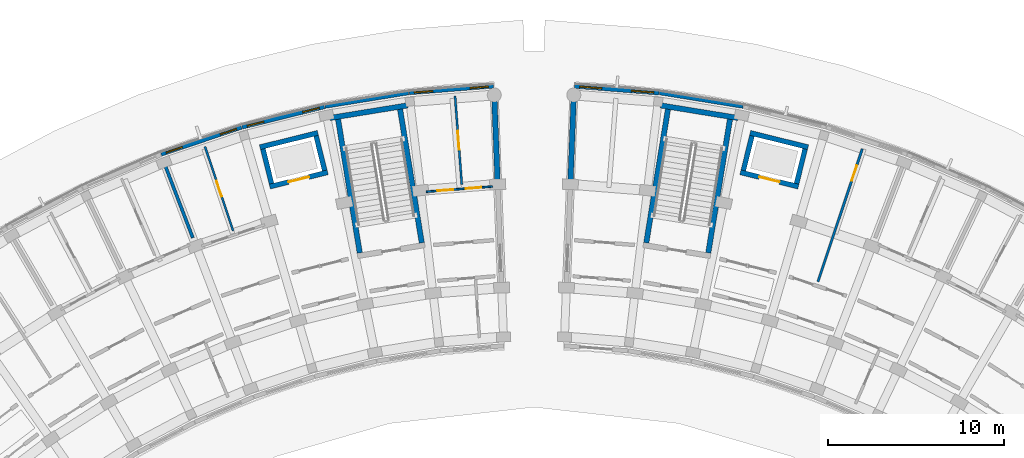
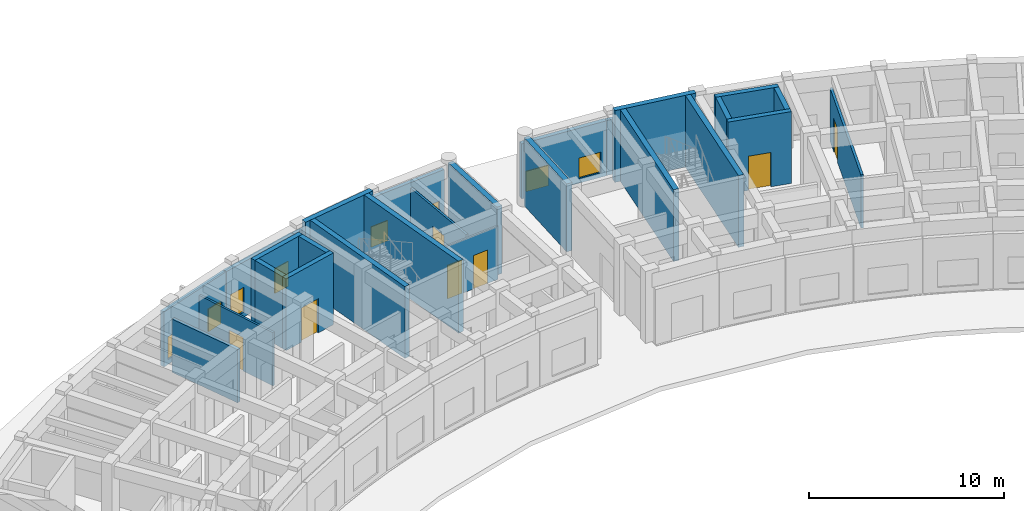
# One storey, part 35 of 61: 27 walls, 8 windows, 7 doors, 15 openings.
"""IFC4 building model written with IfcOpenShell, lengths in metres."""

from ifc_helpers import new_model, si_unit, direction, frame, frame_2d, origin, place, context, subcontext, project, spatial, rectangle, extrude, material, layer, layer_set, type_object, element, fill, save


model = new_model("IFC4")

# Units and contexts
model_context = context("Model", 3, precision=1e-05, world=origin(), true_north=direction((0.0, 1.0)))
body_context = subcontext(model_context, "Body", "Model", "MODEL_VIEW")
ifc_project = project(units=[si_unit("LENGTHUNIT", "METRE"), si_unit("AREAUNIT", "SQUARE_METRE"), si_unit("VOLUMEUNIT", "CUBIC_METRE"), si_unit("PLANEANGLEUNIT", "RADIAN"), si_unit("MASSUNIT", "GRAM", prefix="KILO")], contexts=[model_context])

# Site, building, storey
site_placement = place(None, origin())
site = spatial("IfcSite", under=ifc_project, at=site_placement, CompositionType="ELEMENT")
building_placement = place(site_placement, origin())
building = spatial("IfcBuilding", under=site, at=building_placement, Name="Zimvara Arc Housing Community", CompositionType="ELEMENT")
storey_placement = place(building_placement, origin())
storey = spatial("IfcBuildingStorey", under=building, at=storey_placement, Name="L00", CompositionType="ELEMENT", Elevation=0.0)

# Wall, openings, windows
ifc_material_1 = material(Name="Pigmented Fair-Faced Concrete C35/45", Category="concrete")
ifc_layer_1 = layer(ifc_material_1, 0.235107421875)
ifc_layer_set_1 = layer_set([ifc_layer_1], Name="Pigmented Fair-Faced Concrete C35/45")
wall_type_1 = type_object("IfcWallType", Name="EWL-PIGM-235", PredefinedType="SOLIDWALL", material=ifc_layer_set_1)
wall_1_placement = place(storey_placement, frame((23.81640625, 99.971923828125, 0.0), z_axis=(0.0, 0.0, 1.0), x_axis=(0.947867898788, 0.318663531717, 0.0)))
wall_1 = element("IfcWall", 1, at=wall_1_placement, inside=storey, type_object=wall_type_1, Name="ewall:blkA:L00:out:b6", PredefinedType="SOLIDWALL", context=body_context, shape_type="SweptSolid", body=[
    extrude(rectangle(XDim=4.80908203125, YDim=0.235107421875, at=frame_2d((2.404541015625, 0.0))), origin(), (0.0, 0.0, 1.0), 3.449951171875),
])
opening_1_placement = place(wall_1_placement, frame((0.300048828125, 0.0, 0.300048828125)))
opening_1 = element("IfcOpeningElement", 2, at=opening_1_placement, cuts=wall_1, Name="Opening W27", PredefinedType="OPENING", context=body_context, shape_type="SweptSolid", body=[
    extrude(rectangle(XDim=0.9599609375, YDim=1.419921875, at=frame_2d((0.47998046875, 0.7099609375))), frame((0.0, 0.12744140625, 0.0), z_axis=(0.0, -1.0, 0.0), x_axis=(1.0, 0.0, 0.0)), (0.0, 0.0, 1.0), 0.255126953125),
])
opening_2_placement = place(wall_1_placement, frame((3.548828125, 0.0, 0.300048828125)))
opening_2 = element("IfcOpeningElement", 3, at=opening_2_placement, cuts=wall_1, Name="Opening W27", PredefinedType="OPENING", context=body_context, shape_type="SweptSolid", body=[
    extrude(rectangle(XDim=0.9599609375, YDim=1.419921875, at=frame_2d((0.47998046875, 0.7099609375))), frame((0.0, 0.12744140625, 0.0), z_axis=(0.0, -1.0, 0.0), x_axis=(1.0, 0.0, 0.0)), (0.0, 0.0, 1.0), 0.255126953125),
])
ifc_material_2 = material(Name="Solar Control Low-E Double Glazing", Category="glass")
window_type_1 = type_object("IfcWindowType", Name="WIN-MOD-960x1420", PartitioningType="DOUBLE_PANEL_VERTICAL", PredefinedType="WINDOW", material=ifc_material_2)
window_1_placement = place(opening_1_placement, origin())
window_1 = element("IfcWindow", 4, at=window_1_placement, inside=storey, type_object=window_type_1, Name="win:blkA:L00:out:b6:1", OverallHeight=1.419921875, OverallWidth=0.9599609375, PartitioningType="DOUBLE_PANEL_VERTICAL", PredefinedType="WINDOW", context=body_context, shape_type="SweptSolid", body=[
    extrude(rectangle(XDim=0.9599609375, YDim=1.419921875, at=frame_2d((0.47998046875, 0.7099609375))), frame((0.0, 0.030029296875, 0.0), z_axis=(0.0, -1.0, 0.0), x_axis=(1.0, 0.0, 0.0)), (0.0, 0.0, 1.0), 0.06005859375),
])
fill(opening_1, window_1)
window_2_placement = place(opening_2_placement, origin())
window_2 = element("IfcWindow", 5, at=window_2_placement, inside=storey, type_object=window_type_1, Name="win:blkA:L00:out:b6:2", OverallHeight=1.419921875, OverallWidth=0.9599609375, PartitioningType="DOUBLE_PANEL_VERTICAL", PredefinedType="WINDOW", context=body_context, shape_type="SweptSolid", body=[
    extrude(rectangle(XDim=0.9599609375, YDim=1.419921875, at=frame_2d((0.47998046875, 0.7099609375))), frame((0.0, 0.030029296875, 0.0), z_axis=(0.0, -1.0, 0.0), x_axis=(1.0, 0.0, 0.0)), (0.0, 0.0, 1.0), 0.06005859375),
])
fill(opening_2, window_2)

ifc_material_3 = material(Name="Pigmented Fair-Faced Concrete C35/45", Category="concrete")
ifc_layer_2 = layer(ifc_material_3, 0.2451171875)
ifc_layer_set_2 = layer_set([ifc_layer_2], Name="Pigmented Fair-Faced Concrete C35/45")
wall_type_2 = type_object("IfcWallType", Name="EWL-PIGM-245", PredefinedType="SOLIDWALL", material=ifc_layer_set_2)
wall_2_placement = place(storey_placement, frame((28.4130859375, 101.515380859375, 0.0), z_axis=(0.0, 0.0, 1.0), x_axis=(0.970716115822, 0.240229520426, 0.0)))
wall_2 = element("IfcWall", 6, at=wall_2_placement, inside=storey, type_object=wall_type_2, Name="ewall:blkA:L00:out:b7", PredefinedType="SOLIDWALL", context=body_context, shape_type="SweptSolid", body=[
    extrude(rectangle(XDim=4.80908203125, YDim=0.2451171875, at=frame_2d((2.404541015625, 0.0))), origin(), (0.0, 0.0, 1.0), 3.449951171875),
])
opening_3_placement = place(wall_2_placement, frame((0.300048828125, 0.0, 0.300048828125)))
opening_3 = element("IfcOpeningElement", 7, at=opening_3_placement, cuts=wall_2, Name="Opening W28", PredefinedType="OPENING", context=body_context, shape_type="SweptSolid", body=[
    extrude(rectangle(XDim=0.9599609375, YDim=1.56005859375, at=frame_2d((0.47998046875, 0.780029296875))), frame((0.0, 0.132568359375, 0.0), z_axis=(0.0, -1.0, 0.0), x_axis=(1.0, 0.0, 0.0)), (0.0, 0.0, 1.0), 0.26513671875),
])
opening_4_placement = place(wall_2_placement, frame((3.548828125, 0.0, 0.300048828125)))
opening_4 = element("IfcOpeningElement", 8, at=opening_4_placement, cuts=wall_2, Name="Opening W28", PredefinedType="OPENING", context=body_context, shape_type="SweptSolid", body=[
    extrude(rectangle(XDim=0.9599609375, YDim=1.56005859375, at=frame_2d((0.47998046875, 0.780029296875))), frame((0.0, 0.132568359375, 0.0), z_axis=(0.0, -1.0, 0.0), x_axis=(1.0, 0.0, 0.0)), (0.0, 0.0, 1.0), 0.26513671875),
])
ifc_material_4 = material(Name="Solar Control Low-E Double Glazing", Category="glass")
window_type_2 = type_object("IfcWindowType", Name="WIN-MOD-960x1560", PartitioningType="DOUBLE_PANEL_VERTICAL", PredefinedType="WINDOW", material=ifc_material_4)
window_3_placement = place(opening_3_placement, origin())
window_3 = element("IfcWindow", 9, at=window_3_placement, inside=storey, type_object=window_type_2, Name="win:blkA:L00:out:b7:1", OverallHeight=1.56005859375, OverallWidth=0.9599609375, PartitioningType="DOUBLE_PANEL_VERTICAL", PredefinedType="WINDOW", context=body_context, shape_type="SweptSolid", body=[
    extrude(rectangle(XDim=0.9599609375, YDim=1.56005859375, at=frame_2d((0.47998046875, 0.780029296875))), frame((0.0, 0.030029296875, 0.0), z_axis=(0.0, -1.0, 0.0), x_axis=(1.0, 0.0, 0.0)), (0.0, 0.0, 1.0), 0.06005859375),
])
fill(opening_3, window_3)
window_4_placement = place(opening_4_placement, origin())
window_4 = element("IfcWindow", 10, at=window_4_placement, inside=storey, type_object=window_type_2, Name="win:blkA:L00:out:b7:2", OverallHeight=1.56005859375, OverallWidth=0.9599609375, PartitioningType="DOUBLE_PANEL_VERTICAL", PredefinedType="WINDOW", context=body_context, shape_type="SweptSolid", body=[
    extrude(rectangle(XDim=0.9599609375, YDim=1.56005859375, at=frame_2d((0.47998046875, 0.780029296875))), frame((0.0, 0.030029296875, 0.0), z_axis=(0.0, -1.0, 0.0), x_axis=(1.0, 0.0, 0.0)), (0.0, 0.0, 1.0), 0.06005859375),
])
fill(opening_4, window_4)

wall_3_placement = place(storey_placement, frame((47.29931640625, 103.834716796875, 0.0), z_axis=(0.0, 0.0, 1.0), x_axis=(0.99686304063, -0.079145929942, 0.0)))
wall_3 = element("IfcWall", 11, at=wall_3_placement, inside=storey, type_object=wall_type_2, Name="ewall:blkB:L00:out:b0", PredefinedType="SOLIDWALL", context=body_context, shape_type="SweptSolid", body=[
    extrude(rectangle(XDim=4.80908203125, YDim=0.2451171875, at=frame_2d((2.404541015625, 0.0))), origin(), (0.0, 0.0, 1.0), 3.449951171875),
])
opening_5_placement = place(wall_3_placement, frame((0.300048828125, 0.0, 0.300048828125)))
opening_5 = element("IfcOpeningElement", 12, at=opening_5_placement, cuts=wall_3, Name="Opening W38", PredefinedType="OPENING", context=body_context, shape_type="SweptSolid", body=[
    extrude(rectangle(XDim=1.260009765625, YDim=1.280029296875, at=frame_2d((0.6298828125, 0.64013671875))), frame((0.0, 0.132568359375, 0.0), z_axis=(0.0, -1.0, 0.0), x_axis=(1.0, 0.0, 0.0)), (0.0, 0.0, 1.0), 0.26513671875),
])
opening_6_placement = place(wall_3_placement, frame((3.248779296875, 0.0, 0.300048828125)))
opening_6 = element("IfcOpeningElement", 13, at=opening_6_placement, cuts=wall_3, Name="Opening W38", PredefinedType="OPENING", context=body_context, shape_type="SweptSolid", body=[
    extrude(rectangle(XDim=1.260009765625, YDim=1.280029296875, at=frame_2d((0.6298828125, 0.64013671875))), frame((0.0, 0.132568359375, 0.0), z_axis=(0.0, -1.0, 0.0), x_axis=(1.0, 0.0, 0.0)), (0.0, 0.0, 1.0), 0.26513671875),
])
ifc_material_5 = material(Name="Solar Control Low-E Double Glazing", Category="glass")
window_type_3 = type_object("IfcWindowType", Name="WIN-MOD-1260x1280", PartitioningType="DOUBLE_PANEL_VERTICAL", PredefinedType="WINDOW", material=ifc_material_5)
window_5_placement = place(opening_5_placement, origin())
window_5 = element("IfcWindow", 14, at=window_5_placement, inside=storey, type_object=window_type_3, Name="win:blkB:L00:out:b0:1", OverallHeight=1.280029296875, OverallWidth=1.260009765625, PartitioningType="DOUBLE_PANEL_VERTICAL", PredefinedType="WINDOW", context=body_context, shape_type="SweptSolid", body=[
    extrude(rectangle(XDim=1.260009765625, YDim=1.280029296875, at=frame_2d((0.6298828125, 0.64013671875))), frame((0.0, 0.030029296875, 0.0), z_axis=(0.0, -1.0, 0.0), x_axis=(1.0, 0.0, 0.0)), (0.0, 0.0, 1.0), 0.06005859375),
])
fill(opening_5, window_5)
window_6_placement = place(opening_6_placement, origin())
window_6 = element("IfcWindow", 15, at=window_6_placement, inside=storey, type_object=window_type_3, Name="win:blkB:L00:out:b0:2", OverallHeight=1.280029296875, OverallWidth=1.260009765625, PartitioningType="DOUBLE_PANEL_VERTICAL", PredefinedType="WINDOW", context=body_context, shape_type="SweptSolid", body=[
    extrude(rectangle(XDim=1.260009765625, YDim=1.280029296875, at=frame_2d((0.6298828125, 0.64013671875))), frame((0.0, 0.030029296875, 0.0), z_axis=(0.0, -1.0, 0.0), x_axis=(1.0, 0.0, 0.0)), (0.0, 0.0, 1.0), 0.06005859375),
])
fill(opening_6, window_6)

# Walls
ifc_material_6 = material(Name="Board-Marked Fair-Faced Concrete C35/45", Category="concrete")
ifc_layer_3 = layer(ifc_material_6, 0.2119140625)
ifc_layer_set_3 = layer_set([ifc_layer_3], Name="Board-Marked Fair-Faced Concrete C35/45")
wall_type_3 = type_object("IfcWallType", Name="EWL-VAR-11", PredefinedType="SOLIDWALL", material=ifc_layer_set_3)
for number, where, z_axis, x_axis, name in (
    (16, (33.120361328125, 102.6787109375, 0.0), (0.0, 0.0, 1.0), (0.987080750493, 0.160223568819, 0.0), "ewall:blkA:L00:out:b8"),
    (17, (52.1328125, 103.44921875, 0.0), (0.0, 0.0, 1.0), (0.987080750493, -0.160223568819, 0.0), "ewall:blkB:L00:out:b1"),
):
    element("IfcWall", number, at=place(storey_placement, frame(where, z_axis=z_axis, x_axis=x_axis)), inside=storey, type_object=wall_type_3, Name=name, PredefinedType="SOLIDWALL", context=body_context, shape_type="SweptSolid", body=[
        extrude(rectangle(XDim=4.808837890625, YDim=0.2119140625, at=frame_2d((2.404296875, 0.0))), origin(), (0.0, 0.0, 1.0), 3.449951171875),
    ])

# Wall, openings, windows
ifc_material_7 = material(Name="Board-Marked Fair-Faced Concrete C35/45", Category="concrete")
ifc_layer_4 = layer(ifc_material_7, 0.218017578125)
ifc_layer_set_4 = layer_set([ifc_layer_4], Name="Board-Marked Fair-Faced Concrete C35/45")
wall_type_4 = type_object("IfcWallType", Name="EWL-VAR-12", PredefinedType="SOLIDWALL", material=ifc_layer_set_4)
wall_4_placement = place(storey_placement, frame((37.90673828125, 103.4541015625, 0.0), z_axis=(0.0, 0.0, 1.0), x_axis=(0.99686304063, 0.079145929942, 0.0)))
wall_4 = element("IfcWall", 18, at=wall_4_placement, inside=storey, type_object=wall_type_4, Name="ewall:blkA:L00:out:b9", PredefinedType="SOLIDWALL", context=body_context, shape_type="SweptSolid", body=[
    extrude(rectangle(XDim=4.80908203125, YDim=0.218017578125, at=frame_2d((2.404541015625, 0.0))), origin(), (0.0, 0.0, 1.0), 3.449951171875),
])
opening_7_placement = place(wall_4_placement, frame((0.300048828125, 0.0, 0.300048828125)))
opening_7 = element("IfcOpeningElement", 19, at=opening_7_placement, cuts=wall_4, Name="Opening W30", PredefinedType="OPENING", context=body_context, shape_type="SweptSolid", body=[
    extrude(rectangle(XDim=1.0400390625, YDim=1.280029296875, at=frame_2d((0.52001953125, 0.64013671875))), frame((0.0, 0.118896484375, 0.0), z_axis=(0.0, -1.0, 0.0), x_axis=(1.0, 0.0, 0.0)), (0.0, 0.0, 1.0), 0.238037109375),
])
opening_8_placement = place(wall_4_placement, frame((3.468994140625, 0.0, 0.300048828125)))
opening_8 = element("IfcOpeningElement", 20, at=opening_8_placement, cuts=wall_4, Name="Opening W30", PredefinedType="OPENING", context=body_context, shape_type="SweptSolid", body=[
    extrude(rectangle(XDim=1.0400390625, YDim=1.280029296875, at=frame_2d((0.52001953125, 0.64013671875))), frame((0.0, 0.118896484375, 0.0), z_axis=(0.0, -1.0, 0.0), x_axis=(1.0, 0.0, 0.0)), (0.0, 0.0, 1.0), 0.238037109375),
])
ifc_material_8 = material(Name="Solar Control Low-E Double Glazing", Category="glass")
window_type_4 = type_object("IfcWindowType", Name="WIN-MOD-1040x1280", PartitioningType="DOUBLE_PANEL_VERTICAL", PredefinedType="WINDOW", material=ifc_material_8)
window_7_placement = place(opening_7_placement, origin())
window_7 = element("IfcWindow", 21, at=window_7_placement, inside=storey, type_object=window_type_4, Name="win:blkA:L00:out:b9:1", OverallHeight=1.280029296875, OverallWidth=1.0400390625, PartitioningType="DOUBLE_PANEL_VERTICAL", PredefinedType="WINDOW", context=body_context, shape_type="SweptSolid", body=[
    extrude(rectangle(XDim=1.0400390625, YDim=1.280029296875, at=frame_2d((0.52001953125, 0.64013671875))), frame((0.0, 0.030029296875, 0.0), z_axis=(0.0, -1.0, 0.0), x_axis=(1.0, 0.0, 0.0)), (0.0, 0.0, 1.0), 0.06005859375),
])
fill(opening_7, window_7)
window_8_placement = place(opening_8_placement, origin())
window_8 = element("IfcWindow", 22, at=window_8_placement, inside=storey, type_object=window_type_4, Name="win:blkA:L00:out:b9:2", OverallHeight=1.280029296875, OverallWidth=1.0400390625, PartitioningType="DOUBLE_PANEL_VERTICAL", PredefinedType="WINDOW", context=body_context, shape_type="SweptSolid", body=[
    extrude(rectangle(XDim=1.0400390625, YDim=1.280029296875, at=frame_2d((0.52001953125, 0.64013671875))), frame((0.0, 0.030029296875, 0.0), z_axis=(0.0, -1.0, 0.0), x_axis=(1.0, 0.0, 0.0)), (0.0, 0.0, 1.0), 0.06005859375),
])
fill(opening_8, window_8)

# Wall
ifc_material_9 = material(Name="Concrete C35/45", Category="concrete")
ifc_layer_5 = layer(ifc_material_9, 0.18505859375)
ifc_layer_set_5 = layer_set([ifc_layer_5], Name="Concrete C35/45")
wall_type_5 = type_object("IfcWallType", Name="IWL-FLAT-185", PredefinedType="SOLIDWALL", material=ifc_layer_set_5)
wall_5_placement = place(storey_placement, frame((25.611328125, 95.220458984375, 0.0), z_axis=(0.0, 0.0, 1.0), x_axis=(-0.357064016205, 0.934079915388, 0.0)))
element("IfcWall", 23, at=wall_5_placement, inside=storey, type_object=wall_type_5, Name="iwall:blkA:L00:party:b6", PredefinedType="SOLIDWALL", context=body_context, shape_type="SweptSolid", body=[
    extrude(rectangle(XDim=4.35009765625, YDim=0.18505859375, at=frame_2d((2.175048828125, 0.0))), origin(), (0.0, 0.0, 1.0), 3.340087890625),
])

# Wall, openings, doors
ifc_material_10 = material(Name="Painted Acoustic Plasterboard")
ifc_layer_6 = layer(ifc_material_10, 0.10009765625)
ifc_layer_set_6 = layer_set([ifc_layer_6], Name="Painted Acoustic Plasterboard")
wall_type_6 = type_object("IfcWallType", Name="IWL-PART-100", PredefinedType="PARTITIONING", material=ifc_layer_set_6)
wall_6_placement = place(storey_placement, frame((38.8662109375, 97.837158203125, 0.0), z_axis=(0.0, 0.0, 1.0), x_axis=(0.996863292793, 0.079142753818, 0.0)))
wall_6 = element("IfcWall", 24, at=wall_6_placement, inside=storey, type_object=wall_type_6, Name="iwall:blkA:L00:srv:b9", PredefinedType="PARTITIONING", context=body_context, shape_type="SweptSolid", body=[
    extrude(rectangle(XDim=3.78515625, YDim=0.10009765625, at=frame_2d((1.892578125, 0.0))), origin(), (0.0, 0.0, 1.0), 3.340087890625),
])
opening_9_placement = place(wall_6_placement, frame((0.64990234375, 0.0, 0.0)))
opening_9 = element("IfcOpeningElement", 25, at=opening_9_placement, cuts=wall_6, Name="Opening D01", PredefinedType="OPENING", context=body_context, shape_type="SweptSolid", body=[
    extrude(rectangle(XDim=0.89990234375, YDim=2.10009765625, at=frame_2d((0.449951171875, 1.050048828125))), frame((0.0, 0.06005859375, 0.0), z_axis=(0.0, -1.0, 0.0), x_axis=(1.0, 0.0, 0.0)), (0.0, 0.0, 1.0), 0.1201171875),
])
opening_10_placement = place(wall_6_placement, frame((2.255126953125, 0.0, 0.0)))
opening_10 = element("IfcOpeningElement", 26, at=opening_10_placement, cuts=wall_6, Name="Opening D05", PredefinedType="OPENING", context=body_context, shape_type="SweptSolid", body=[
    extrude(rectangle(XDim=0.8798828125, YDim=2.10009765625, at=frame_2d((0.43994140625, 1.050048828125))), frame((0.0, 0.06005859375, 0.0), z_axis=(0.0, -1.0, 0.0), x_axis=(1.0, 0.0, 0.0)), (0.0, 0.0, 1.0), 0.1201171875),
])
ifc_material_11 = material(Name="Mozambican Hardwood", Category="wood")
door_type_1 = type_object("IfcDoorType", Name="IDR-RM-0900x2100", OperationType="NOTDEFINED", PredefinedType="DOOR", material=ifc_material_11)
door_1_placement = place(opening_9_placement, origin())
door_1 = element("IfcDoor", 27, at=door_1_placement, inside=storey, type_object=door_type_1, Name="idoor:blkA:L00:kit_liv:b9", OperationType="SINGLE_SWING_RIGHT", OverallHeight=2.10009765625, OverallWidth=0.89990234375, PredefinedType="DOOR", context=body_context, shape_type="SweptSolid", body=[
    extrude(rectangle(XDim=0.89990234375, YDim=2.10009765625, at=frame_2d((0.449951171875, 1.050048828125))), frame((0.0, 0.02490234375, 0.0), z_axis=(0.0, -1.0, 0.0), x_axis=(1.0, 0.0, 0.0)), (0.0, 0.0, 1.0), 0.050048828125),
])
fill(opening_9, door_1)
ifc_material_12 = material(Name="Mozambican Hardwood", Category="wood")
door_type_2 = type_object("IfcDoorType", Name="IDR-WC-0880x2100", OperationType="NOTDEFINED", PredefinedType="DOOR", material=ifc_material_12)
door_2_placement = place(opening_10_placement, origin())
door_2 = element("IfcDoor", 28, at=door_2_placement, inside=storey, type_object=door_type_2, Name="idoor:blkA:L00:bath_d:b9", OperationType="SINGLE_SWING_LEFT", OverallHeight=2.10009765625, OverallWidth=0.8798828125, PredefinedType="DOOR", context=body_context, shape_type="SweptSolid", body=[
    extrude(rectangle(XDim=0.8798828125, YDim=2.10009765625, at=frame_2d((0.43994140625, 1.050048828125))), frame((0.0, 0.02490234375, 0.0), z_axis=(0.0, -1.0, 0.0), x_axis=(1.0, 0.0, 0.0)), (0.0, 0.0, 1.0), 0.050048828125),
])
fill(opening_10, door_2)

# Wall, opening, door
ifc_material_13 = material(Name="Painted Acoustic Plasterboard")
ifc_layer_7 = layer(ifc_material_13, 0.1201171875)
ifc_layer_set_7 = layer_set([ifc_layer_7], Name="Painted Acoustic Plasterboard")
wall_type_7 = type_object("IfcWallType", Name="IWL-PART-120", PredefinedType="PARTITIONING", material=ifc_layer_set_7)
wall_7_placement = place(storey_placement, frame((27.903076171875, 95.616455078125, 0.0), z_axis=(0.0, 0.0, 1.0), x_axis=(-0.31722829501, 0.948349201953, 0.0)))
wall_7 = element("IfcWall", 29, at=wall_7_placement, inside=storey, type_object=wall_type_7, Name="iwall:blkA:L00:bed_div:b6", PredefinedType="PARTITIONING", context=body_context, shape_type="SweptSolid", body=[
    extrude(rectangle(XDim=5.050048828125, YDim=0.1201171875, at=frame_2d((2.52490234375, 0.0))), origin(), (0.0, 0.0, 1.0), 3.340087890625),
])
opening_11_placement = place(wall_7_placement, frame((2.06005859375, 0.0, 0.0)))
opening_11 = element("IfcOpeningElement", 30, at=opening_11_placement, cuts=wall_7, Name="Opening D13", PredefinedType="OPENING", context=body_context, shape_type="SweptSolid", body=[
    extrude(rectangle(XDim=0.929931640625, YDim=2.10009765625, at=frame_2d((0.46484375, 1.050048828125))), frame((0.0, 0.070068359375, 0.0), z_axis=(0.0, -1.0, 0.0), x_axis=(1.0, 0.0, 0.0)), (0.0, 0.0, 1.0), 0.14013671875),
])
ifc_material_14 = material(Name="Mozambican Hardwood", Category="wood")
door_type_3 = type_object("IfcDoorType", Name="IDR-MOD-930x2180", OperationType="NOTDEFINED", PredefinedType="DOOR", material=ifc_material_14)
door_3_placement = place(opening_11_placement, origin())
door_3 = element("IfcDoor", 31, at=door_3_placement, inside=storey, type_object=door_type_3, Name="idoor:blkA:L00:bed_d:b6", OperationType="SINGLE_SWING_RIGHT", OverallHeight=2.10009765625, OverallWidth=0.929931640625, PredefinedType="DOOR", context=body_context, shape_type="SweptSolid", body=[
    extrude(rectangle(XDim=0.929931640625, YDim=2.10009765625, at=frame_2d((0.46484375, 1.050048828125))), frame((0.0, 0.02490234375, 0.0), z_axis=(0.0, -1.0, 0.0), x_axis=(1.0, 0.0, 0.0)), (0.0, 0.0, 1.0), 0.050048828125),
])
fill(opening_11, door_3)

wall_8_placement = place(storey_placement, frame((40.8955078125, 98.243408203125, 0.0), z_axis=(0.0, 0.0, 1.0), x_axis=(-0.076141951799, 0.997096987848, 0.0)))
wall_8 = element("IfcWall", 32, at=wall_8_placement, inside=storey, type_object=wall_type_7, Name="iwall:blkA:L00:bed_div:b9", PredefinedType="PARTITIONING", context=body_context, shape_type="SweptSolid", body=[
    extrude(rectangle(XDim=5.050048828125, YDim=0.1201171875, at=frame_2d((2.52490234375, 0.0))), origin(), (0.0, 0.0, 1.0), 3.340087890625),
])
opening_12_placement = place(wall_8_placement, frame((1.9951171875, 0.0, 0.0)))
opening_12 = element("IfcOpeningElement", 33, at=opening_12_placement, cuts=wall_8, Name="Opening D16", PredefinedType="OPENING", context=body_context, shape_type="SweptSolid", body=[
    extrude(rectangle(XDim=1.06005859375, YDim=2.10009765625, at=frame_2d((0.530029296875, 1.050048828125))), frame((0.0, 0.070068359375, 0.0), z_axis=(0.0, -1.0, 0.0), x_axis=(1.0, 0.0, 0.0)), (0.0, 0.0, 1.0), 0.14013671875),
])
ifc_material_15 = material(Name="Mozambican Hardwood", Category="wood")
door_type_4 = type_object("IfcDoorType", Name="IDR-MOD-1060x2220", OperationType="NOTDEFINED", PredefinedType="DOOR", material=ifc_material_15)
door_4_placement = place(opening_12_placement, origin())
door_4 = element("IfcDoor", 34, at=door_4_placement, inside=storey, type_object=door_type_4, Name="idoor:blkA:L00:bed_d:b9", OperationType="SINGLE_SWING_RIGHT", OverallHeight=2.10009765625, OverallWidth=1.06005859375, PredefinedType="DOOR", context=body_context, shape_type="SweptSolid", body=[
    extrude(rectangle(XDim=1.06005859375, YDim=2.10009765625, at=frame_2d((0.530029296875, 1.050048828125))), frame((0.0, 0.02490234375, 0.0), z_axis=(0.0, -1.0, 0.0), x_axis=(1.0, 0.0, 0.0)), (0.0, 0.0, 1.0), 0.050048828125),
])
fill(opening_12, door_4)

ifc_material_16 = material(Name="Painted Acoustic Plasterboard")
ifc_layer_8 = layer(ifc_material_16, 0.139892578125)
ifc_layer_set_8 = layer_set([ifc_layer_8], Name="Painted Acoustic Plasterboard")
wall_type_8 = type_object("IfcWallType", Name="IWL-PART-140", PredefinedType="PARTITIONING", material=ifc_layer_set_8)
wall_9_placement = place(storey_placement, frame((61.129638671875, 92.72412109375, 0.0), z_axis=(0.0, 0.0, 1.0), x_axis=(0.317204178278, 0.948357268798, 0.0)))
wall_9 = element("IfcWall", 35, at=wall_9_placement, inside=storey, type_object=wall_type_8, Name="iwall:blkB:L00:amen_div:b3", PredefinedType="PARTITIONING", context=body_context, shape_type="SweptSolid", body=[
    extrude(rectangle(XDim=7.949951171875, YDim=0.139892578125, at=frame_2d((3.97509765625, 0.0))), origin(), (0.0, 0.0, 1.0), 3.340087890625),
])
opening_13_placement = place(wall_9_placement, frame((6.050048828125, 0.0, 0.0)))
opening_13 = element("IfcOpeningElement", 36, at=opening_13_placement, cuts=wall_9, Name="Opening D02", PredefinedType="OPENING", context=body_context, shape_type="SweptSolid", body=[
    extrude(rectangle(XDim=0.919921875, YDim=2.10009765625, at=frame_2d((0.4599609375, 1.050048828125))), frame((0.0, 0.079833984375, 0.0), z_axis=(0.0, -1.0, 0.0), x_axis=(1.0, 0.0, 0.0)), (0.0, 0.0, 1.0), 0.159912109375),
])
ifc_material_17 = material(Name="Mozambican Hardwood", Category="wood")
door_type_5 = type_object("IfcDoorType", Name="IDR-RM-0920x2100", OperationType="NOTDEFINED", PredefinedType="DOOR", material=ifc_material_17)
door_5_placement = place(opening_13_placement, origin())
door_5 = element("IfcDoor", 37, at=door_5_placement, inside=storey, type_object=door_type_5, Name="idoor:blkB:L00:laund_d:b3", OperationType="SINGLE_SWING_RIGHT", OverallHeight=2.10009765625, OverallWidth=0.919921875, PredefinedType="DOOR", context=body_context, shape_type="SweptSolid", body=[
    extrude(rectangle(XDim=0.919921875, YDim=2.10009765625, at=frame_2d((0.4599609375, 1.050048828125))), frame((0.0, 0.02490234375, 0.0), z_axis=(0.0, -1.0, 0.0), x_axis=(1.0, 0.0, 0.0)), (0.0, 0.0, 1.0), 0.050048828125),
])
fill(opening_13, door_5)

ifc_material_18 = material(Name="Concrete C40/50", Category="concrete")
ifc_layer_9 = layer(ifc_material_18, 0.280029296875)
ifc_layer_set_9 = layer_set([ifc_layer_9], Name="Concrete C40/50")
wall_type_9 = type_object("IfcWallType", Name="WL-CORE-280", PredefinedType="SHEAR", material=ifc_layer_set_9)
wall_10_placement = place(storey_placement, frame((33.27294921875, 98.942138671875, 0.0), z_axis=(0.0, 0.0, 1.0), x_axis=(-0.970707542441, -0.240264160972, 0.0)))
wall_10 = element("IfcWall", 38, at=wall_10_placement, inside=storey, type_object=wall_type_9, Name="lwall:LF-A2:L00:front", PredefinedType="SHEAR", context=body_context, shape_type="SweptSolid", body=[
    extrude(rectangle(XDim=3.389892578125, YDim=0.280029296875, at=frame_2d((1.69482421875, 0.0))), origin(), (0.0, 0.0, 1.0), 4.5),
])
opening_14_placement = place(wall_10_placement, frame((1.094970703125, 0.0, 0.0)))
opening_14 = element("IfcOpeningElement", 39, at=opening_14_placement, cuts=wall_10, Name="Opening LD-LF-A2", PredefinedType="OPENING", context=body_context, shape_type="SweptSolid", body=[
    extrude(rectangle(XDim=1.199951171875, YDim=2.14990234375, at=frame_2d((0.60009765625, 1.074951171875))), frame((0.0, 0.14990234375, 0.0), z_axis=(0.0, -1.0, 0.0), x_axis=(1.0, 0.0, 0.0)), (0.0, 0.0, 1.0), 0.300048828125),
])
ifc_material_19 = material(Name="Anodised Aluminium AW-6063", Category="aluminium")
door_type_6 = type_object("IfcDoorType", Name="IDR-LD-1200x2150", OperationType="DOUBLE_DOOR_SLIDING", PredefinedType="DOOR", material=ifc_material_19)
door_6_placement = place(opening_14_placement, origin())
door_6 = element("IfcDoor", 40, at=door_6_placement, inside=storey, type_object=door_type_6, Name="Lift LF-A2 Sliding Landing Door L00", OperationType="DOUBLE_DOOR_SLIDING", OverallHeight=2.14990234375, OverallWidth=1.199951171875, PredefinedType="DOOR", context=body_context, shape_type="SweptSolid", body=[
    extrude(rectangle(XDim=1.199951171875, YDim=2.14990234375, at=frame_2d((0.60009765625, 1.074951171875))), frame((0.0, 0.02490234375, 0.0), z_axis=(0.0, -1.0, 0.0), x_axis=(1.0, 0.0, 0.0)), (0.0, 0.0, 1.0), 0.050048828125),
])
fill(opening_14, door_6)

# Walls
wall_11_placement = place(storey_placement, frame((32.71826171875, 101.1845703125, 0.0), z_axis=(0.0, 0.0, 1.0), x_axis=(-0.970711699588, -0.240247364777, 0.0)))
element("IfcWall", 41, at=wall_11_placement, inside=storey, type_object=wall_type_9, Name="lwall:LF-A2:L00:back", PredefinedType="SHEAR", context=body_context, shape_type="SweptSolid", body=[
    extrude(rectangle(XDim=3.39013671875, YDim=0.280029296875, at=frame_2d((1.695068359375, 0.0))), origin(), (0.0, 0.0, 1.0), 4.5),
])
wall_12_placement = place(storey_placement, frame((33.103515625, 99.04443359375, 0.0), z_axis=(0.0, 0.0, 1.0), x_axis=(-0.240186044774, 0.970726873995, 0.0)))
element("IfcWall", 42, at=wall_12_placement, inside=storey, type_object=wall_type_9, Name="lwall:LF-A2:L00:left", PredefinedType="SHEAR", context=body_context, shape_type="SweptSolid", body=[
    extrude(rectangle(XDim=2.02978515625, YDim=0.280029296875, at=frame_2d((1.014892578125, 0.0))), origin(), (0.0, 0.0, 1.0), 4.5),
])
wall_13_placement = place(storey_placement, frame((30.084716796875, 98.29736328125, 0.0), z_axis=(0.0, 0.0, 1.0), x_axis=(-0.2402993748, 0.970698825832, 0.0)))
element("IfcWall", 43, at=wall_13_placement, inside=storey, type_object=wall_type_9, Name="lwall:LF-A2:L00:right", PredefinedType="SHEAR", context=body_context, shape_type="SweptSolid", body=[
    extrude(rectangle(XDim=2.030029296875, YDim=0.280029296875, at=frame_2d((1.01513671875, 0.0))), origin(), (0.0, 0.0, 1.0), 4.5),
])

# Wall, opening, door
wall_14_placement = place(storey_placement, frame((60.017578125, 98.127685546875, 0.0), z_axis=(0.0, 0.0, 1.0), x_axis=(-0.970707542441, 0.240264160972, 0.0)))
wall_14 = element("IfcWall", 44, at=wall_14_placement, inside=storey, type_object=wall_type_9, Name="lwall:LF-B1:L00:front", PredefinedType="SHEAR", context=body_context, shape_type="SweptSolid", body=[
    extrude(rectangle(XDim=3.389892578125, YDim=0.280029296875, at=frame_2d((1.69482421875, 0.0))), origin(), (0.0, 0.0, 1.0), 4.5),
])
opening_15_placement = place(wall_14_placement, frame((1.094970703125, 0.0, 0.0)))
opening_15 = element("IfcOpeningElement", 45, at=opening_15_placement, cuts=wall_14, Name="Opening LD-LF-B1", PredefinedType="OPENING", context=body_context, shape_type="SweptSolid", body=[
    extrude(rectangle(XDim=1.199951171875, YDim=2.14990234375, at=frame_2d((0.60009765625, 1.074951171875))), frame((0.0, 0.14990234375, 0.0), z_axis=(0.0, -1.0, 0.0), x_axis=(1.0, 0.0, 0.0)), (0.0, 0.0, 1.0), 0.300048828125),
])
door_7_placement = place(opening_15_placement, origin())
door_7 = element("IfcDoor", 46, at=door_7_placement, inside=storey, type_object=door_type_6, Name="Lift LF-B1 Sliding Landing Door L00", OperationType="DOUBLE_DOOR_SLIDING", OverallHeight=2.14990234375, OverallWidth=1.199951171875, PredefinedType="DOOR", context=body_context, shape_type="SweptSolid", body=[
    extrude(rectangle(XDim=1.199951171875, YDim=2.14990234375, at=frame_2d((0.60009765625, 1.074951171875))), frame((0.0, 0.02490234375, 0.0), z_axis=(0.0, -1.0, 0.0), x_axis=(1.0, 0.0, 0.0)), (0.0, 0.0, 1.0), 0.050048828125),
])
fill(opening_15, door_7)

# Walls
wall_15_placement = place(storey_placement, frame((60.572509765625, 100.3701171875, 0.0), z_axis=(0.0, 0.0, 1.0), x_axis=(-0.970711699588, 0.240247364777, 0.0)))
element("IfcWall", 47, at=wall_15_placement, inside=storey, type_object=wall_type_9, Name="lwall:LF-B1:L00:back", PredefinedType="SHEAR", context=body_context, shape_type="SweptSolid", body=[
    extrude(rectangle(XDim=3.39013671875, YDim=0.280029296875, at=frame_2d((1.695068359375, 0.0))), origin(), (0.0, 0.0, 1.0), 4.5),
])
wall_16_placement = place(storey_placement, frame((59.915283203125, 98.29736328125, 0.0), z_axis=(0.0, 0.0, 1.0), x_axis=(0.2402993748, 0.970698825832, 0.0)))
element("IfcWall", 48, at=wall_16_placement, inside=storey, type_object=wall_type_9, Name="lwall:LF-B1:L00:left", PredefinedType="SHEAR", context=body_context, shape_type="SweptSolid", body=[
    extrude(rectangle(XDim=2.030029296875, YDim=0.280029296875, at=frame_2d((1.01513671875, 0.0))), origin(), (0.0, 0.0, 1.0), 4.5),
])
wall_17_placement = place(storey_placement, frame((56.896484375, 99.04443359375, 0.0), z_axis=(0.0, 0.0, 1.0), x_axis=(0.240186044774, 0.970726873995, 0.0)))
element("IfcWall", 49, at=wall_17_placement, inside=storey, type_object=wall_type_9, Name="lwall:LF-B1:L00:right", PredefinedType="SHEAR", context=body_context, shape_type="SweptSolid", body=[
    extrude(rectangle(XDim=2.02978515625, YDim=0.280029296875, at=frame_2d((1.014892578125, 0.0))), origin(), (0.0, 0.0, 1.0), 4.5),
])
ifc_material_20 = material(Name="Concrete C40/50", Category="concrete")
ifc_layer_10 = layer(ifc_material_20, 0.300048828125)
ifc_layer_set_10 = layer_set([ifc_layer_10], Name="Concrete C40/50")
wall_type_10 = type_object("IfcWallType", Name="WL-CORE-300", PredefinedType="SHEAR", material=ifc_layer_set_10)
wall_18_placement = place(storey_placement, frame((37.8095703125, 102.745361328125, 0.0), z_axis=(0.0, 0.0, 1.0), x_axis=(-0.987084710126, -0.160199173019, 0.0)))
element("IfcWall", 50, at=wall_18_placement, inside=storey, type_object=wall_type_10, Name="cwall:ST-A2:L00:far", PredefinedType="SHEAR", context=body_context, shape_type="SweptSolid", body=[
    extrude(rectangle(XDim=4.4697265625, YDim=0.300048828125, at=frame_2d((2.23486328125, 0.0))), origin(), (0.0, 0.0, 1.0), 4.5),
])
for number, where, z_axis, x_axis, name in (
    (51, (38.62158203125, 94.9345703125, 0.0), (0.0, 0.0, 1.0), (-0.160196564502, 0.987085133472, 0.0), "cwall:ST-A2:L00:left"),
    (52, (35.097900390625, 94.362548828125, 0.0), (0.0, 0.0, 1.0), (-0.160227496777, 0.987080112897, 0.0), "cwall:ST-A2:L00:right"),
):
    element("IfcWall", number, at=place(storey_placement, frame(where, z_axis=z_axis, x_axis=x_axis)), inside=storey, type_object=wall_type_10, Name=name, PredefinedType="SHEAR", context=body_context, shape_type="SweptSolid", body=[
        extrude(rectangle(XDim=7.690185546875, YDim=0.300048828125, at=frame_2d((3.84521484375, 0.0))), origin(), (0.0, 0.0, 1.0), 4.5),
    ])
wall_19_placement = place(storey_placement, frame((56.6025390625, 102.029296875, 0.0), z_axis=(0.0, 0.0, 1.0), x_axis=(-0.987084710126, 0.160199173019, 0.0)))
element("IfcWall", 53, at=wall_19_placement, inside=storey, type_object=wall_type_10, Name="cwall:ST-B1:L00:far", PredefinedType="SHEAR", context=body_context, shape_type="SweptSolid", body=[
    extrude(rectangle(XDim=4.4697265625, YDim=0.300048828125, at=frame_2d((2.23486328125, 0.0))), origin(), (0.0, 0.0, 1.0), 4.5),
])
for number, where, z_axis, x_axis, name in (
    (54, (54.902099609375, 94.362548828125, 0.0), (0.0, 0.0, 1.0), (0.160227496777, 0.987080112897, 0.0), "cwall:ST-B1:L00:left"),
    (55, (51.37841796875, 94.9345703125, 0.0), (0.0, 0.0, 1.0), (0.160196564502, 0.987085133472, 0.0), "cwall:ST-B1:L00:right"),
):
    element("IfcWall", number, at=place(storey_placement, frame(where, z_axis=z_axis, x_axis=x_axis)), inside=storey, type_object=wall_type_10, Name=name, PredefinedType="SHEAR", context=body_context, shape_type="SweptSolid", body=[
        extrude(rectangle(XDim=7.690185546875, YDim=0.300048828125, at=frame_2d((3.84521484375, 0.0))), origin(), (0.0, 0.0, 1.0), 4.5),
    ])
ifc_material_21 = material(Name="Concrete C40/50", Category="concrete")
ifc_layer_11 = layer(ifc_material_21, 0.31005859375)
ifc_layer_set_11 = layer_set([ifc_layer_11], Name="Concrete C40/50")
wall_type_11 = type_object("IfcWallType", Name="WL-SHEAR-310", PredefinedType="SHEAR", material=ifc_layer_set_11)
for number, where, z_axis, x_axis, name in (
    (56, (42.927734375, 98.440185546875, 0.0), (0.0, 0.0, 1.0), (-0.038379487611, 0.999263236055, 0.0), "swall:blkA:L00:east"),
    (57, (47.072265625, 98.440185546875, 0.0), (0.0, 0.0, 1.0), (0.038379487611, 0.999263236055, 0.0), "swall:blkB:L00:west"),
):
    element("IfcWall", number, at=place(storey_placement, frame(where, z_axis=z_axis, x_axis=x_axis)), inside=storey, type_object=wall_type_11, Name=name, PredefinedType="SHEAR", context=body_context, shape_type="SweptSolid", body=[
        extrude(rectangle(XDim=4.719970703125, YDim=0.31005859375, at=frame_2d((2.35986328125, 0.0))), origin(), (0.0, 0.0, 1.0), 4.260009765625),
    ])

save(model, "model.ifc")
